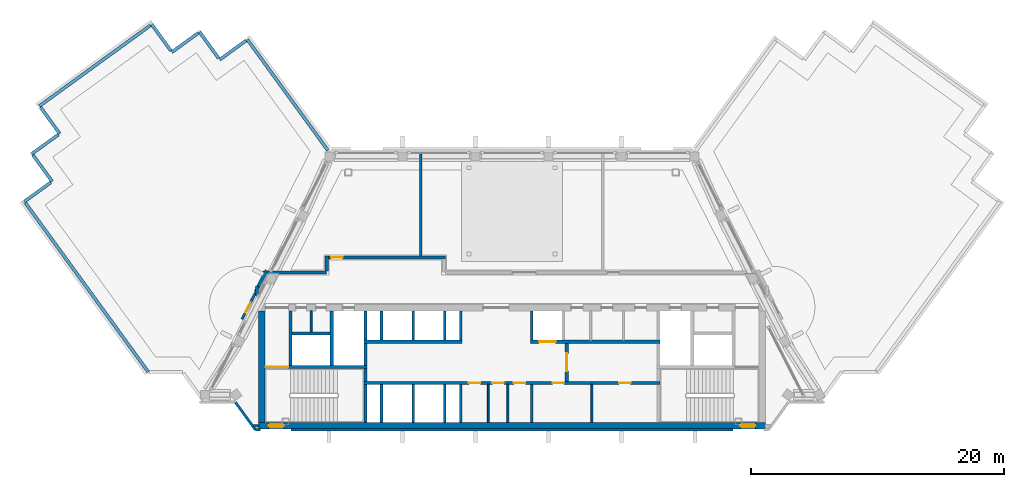
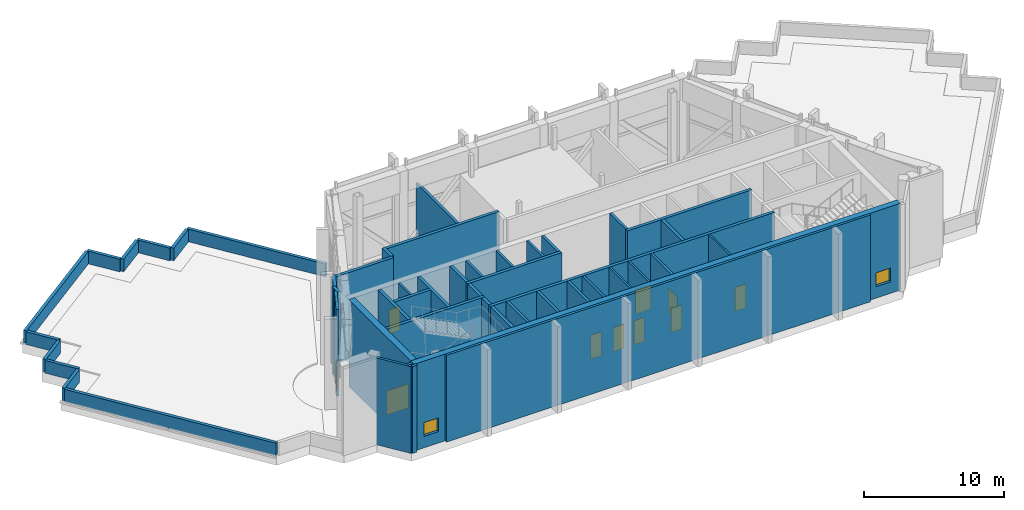
# One storey, part 9 of 14: 50 walls, 10 doors, 2 windows, 12 openings.
"""IFC4 building model written with IfcOpenShell, lengths in metres."""

from ifc_helpers import new_model, si_unit, direction, frame, frame_2d, origin, place, context, subcontext, project, spatial, rectangle, extrude, material, layer, layer_set, type_object, element, fill, save


model = new_model("IFC4")

# Units and contexts
model_context = context("Model", 3, precision=1e-05, world=origin(), true_north=direction((0.0, 1.0)))
body_context = subcontext(model_context, "Body", "Model", "MODEL_VIEW")
ifc_project = project(units=[si_unit("LENGTHUNIT", "METRE"), si_unit("AREAUNIT", "SQUARE_METRE"), si_unit("VOLUMEUNIT", "CUBIC_METRE"), si_unit("PLANEANGLEUNIT", "RADIAN"), si_unit("MASSUNIT", "GRAM", prefix="KILO")], contexts=[model_context])

# Site, building, storey
site_placement = place(None, origin())
site = spatial("IfcSite", under=ifc_project, at=site_placement, CompositionType="ELEMENT")
building_placement = place(site_placement, origin())
building = spatial("IfcBuilding", under=site, at=building_placement, Name="Quipu Civic Tower", CompositionType="ELEMENT")
storey_placement = place(building_placement, frame((0.0, 0.0, 355.0)))
storey = spatial("IfcBuildingStorey", under=building, at=storey_placement, Name="L83", CompositionType="ELEMENT", Elevation=355.0)

# Walls
ifc_material_1 = material(Name="Fired clay blockwork", Category="masonry")
ifc_layer_1 = layer(ifc_material_1, 0.199951171875)
ifc_layer_set_1 = layer_set([ifc_layer_1], Name="Fired clay blockwork")
wall_type_1 = type_object("IfcWallType", Name="Blockwork wall 200", PredefinedType="SOLIDWALL", material=ifc_layer_set_1)
wall_1_placement = place(storey_placement, frame((-7.218017578125, 2.64990234375, 0.0), z_axis=(0.0, 0.0, 1.0), x_axis=(0.0, 1.0, 0.0)))
element("IfcWall", 1, at=wall_1_placement, inside=storey, type_object=wall_type_1, Name="Partition P01", PredefinedType="SOLIDWALL", context=body_context, shape_type="SweptSolid", body=[
    extrude(rectangle(XDim=8.02587890625, YDim=0.199951171875, at=frame_2d((4.012939453125, 0.0))), origin(), (0.0, 0.0, 1.0), 5.75),
])
ifc_material_2 = material(Name="Precast concrete C40/50", Category="concrete")
wall_type_2 = type_object("IfcWallType", Name="Concrete parapet", PredefinedType="PARAPET", material=ifc_material_2)
wall_2_placement = place(storey_placement, frame((-28.715087890625, -6.50634765625, 0.0), z_axis=(0.0, 0.0, 1.0), x_axis=(-0.587781671691, 0.809019595822, 0.0)))
element("IfcWall", 2, at=wall_2_placement, inside=storey, type_object=wall_type_2, Name="Parapet L83.16", PredefinedType="PARAPET", context=body_context, shape_type="SweptSolid", body=[
    extrude(rectangle(XDim=16.490966796875, YDim=0.25, at=frame_2d((8.24560546875, 0.0))), origin(), (0.0, 0.0, 1.0), 1.10009765625),
])
for number, where, z_axis, x_axis, name in (
    (3, (-38.481689453125, 6.936279296875, 0.0), (0.0, 0.0, 1.0), (0.808965629884, 0.587855942954, 0.0), "Parapet L83.17"),
    (4, (-36.297607421875, 8.5234375, 0.0), (0.0, 0.0, 1.0), (-0.587748800394, 0.809043476975, 0.0), "Parapet L83.18"),
    (5, (-37.884521484375, 10.707763671875, 0.0), (0.0, 0.0, 1.0), (0.809043476975, 0.587748800394, 0.0), "Parapet L83.19"),
):
    element("IfcWall", number, at=place(storey_placement, frame(where, z_axis=z_axis, x_axis=x_axis)), inside=storey, type_object=wall_type_2, Name=name, PredefinedType="PARAPET", context=body_context, shape_type="SweptSolid", body=[
        extrude(rectangle(XDim=2.574951171875, YDim=0.25, at=frame_2d((1.28759765625, 0.0))), origin(), (0.0, 0.0, 1.0), 1.10009765625),
    ])
wall_3_placement = place(storey_placement, frame((-35.7001953125, 12.294921875, 0.0), z_axis=(0.0, 0.0, 1.0), x_axis=(-0.587793888112, 0.809010720015, 0.0)))
element("IfcWall", 6, at=wall_3_placement, inside=storey, type_object=wall_type_2, Name="Parapet L83.20", PredefinedType="PARAPET", context=body_context, shape_type="SweptSolid", body=[
    extrude(rectangle(XDim=2.57470703125, YDim=0.25, at=frame_2d((1.287353515625, 0.0))), origin(), (0.0, 0.0, 1.0), 1.10009765625),
])
wall_4_placement = place(storey_placement, frame((-37.287109375, 14.47900390625, 0.0), z_axis=(0.0, 0.0, 1.0), x_axis=(0.809014924719, 0.587788100918, 0.0)))
element("IfcWall", 7, at=wall_4_placement, inside=storey, type_object=wall_type_2, Name="Parapet L83.21", PredefinedType="PARAPET", context=body_context, shape_type="SweptSolid", body=[
    extrude(rectangle(XDim=10.824951171875, YDim=0.25, at=frame_2d((5.41259765625, 0.0))), origin(), (0.0, 0.0, 1.0), 1.10009765625),
])
for number, where, z_axis, x_axis, name in (
    (8, (-28.428466796875, 20.915283203125, 0.0), (0.0, 0.0, 1.0), (0.587855942954, -0.808965629884, 0.0), "Parapet L83.22"),
    (9, (-26.84130859375, 18.73095703125, 0.0), (0.0, 0.0, 1.0), (0.808965629884, 0.587855942954, 0.0), "Parapet L83.23"),
    (10, (-24.656982421875, 20.318115234375, 0.0), (0.0, 0.0, 1.0), (0.587748800394, -0.809043476975, 0.0), "Parapet L83.24"),
    (11, (-23.070068359375, 18.1337890625, 0.0), (0.0, 0.0, 1.0), (0.809043476975, 0.587748800394, 0.0), "Parapet L83.25"),
):
    element("IfcWall", number, at=place(storey_placement, frame(where, z_axis=z_axis, x_axis=x_axis)), inside=storey, type_object=wall_type_2, Name=name, PredefinedType="PARAPET", context=body_context, shape_type="SweptSolid", body=[
        extrude(rectangle(XDim=2.574951171875, YDim=0.25, at=frame_2d((1.28759765625, 0.0))), origin(), (0.0, 0.0, 1.0), 1.10009765625),
    ])
wall_5_placement = place(storey_placement, frame((-20.8857421875, 19.720703125, 0.0), z_axis=(0.0, 0.0, 1.0), x_axis=(0.58778081331, -0.809020219466, 0.0)))
element("IfcWall", 12, at=wall_5_placement, inside=storey, type_object=wall_type_2, Name="Parapet L83.26", PredefinedType="PARAPET", context=body_context, shape_type="SweptSolid", body=[
    extrude(rectangle(XDim=10.808837890625, YDim=0.25, at=frame_2d((5.404296875, 0.0))), origin(), (0.0, 0.0, 1.0), 1.10009765625),
])
ifc_material_3 = material(Name="Concrete C70/85", Category="concrete")
ifc_layer_2 = layer(ifc_material_3, 0.25)
ifc_layer_set_2 = layer_set([ifc_layer_2], Name="Concrete C70/85")
wall_type_3 = type_object("IfcWallType", Name="Core wall 250", PredefinedType="SHEAR", material=ifc_layer_set_2)
wall_6_placement = place(storey_placement, frame((-11.574951171875, -10.5, 0.0), z_axis=(0.0, 0.0, 1.0), x_axis=(0.0, 1.0, 0.0)))
element("IfcWall", 13, at=wall_6_placement, inside=storey, type_object=wall_type_3, Name="Core wall", PredefinedType="SHEAR", context=body_context, shape_type="SweptSolid", body=[
    extrude(rectangle(XDim=3.0, YDim=0.25, at=frame_2d((1.5, 0.0))), origin(), (0.0, 0.0, 1.0), 7.550048828125),
])

# Wall, openings, doors
wall_7_placement = place(storey_placement, frame((11.699951171875, -7.375, 0.0), z_axis=(0.0, 0.0, 1.0), x_axis=(-1.0, 0.0, 0.0)))
wall_7 = element("IfcWall", 14, at=wall_7_placement, inside=storey, type_object=wall_type_3, Name="Core wall", PredefinedType="SHEAR", context=body_context, shape_type="SweptSolid", body=[
    extrude(rectangle(XDim=23.39990234375, YDim=0.25, at=frame_2d((11.699951171875, 0.0))), origin(), (0.0, 0.0, 1.0), 7.550048828125),
])
opening_1_placement = place(wall_7_placement, frame((14.199951171875, 0.0, 0.0)))
opening_1 = element("IfcOpeningElement", 15, at=opening_1_placement, cuts=wall_7, Name="Opening CD-01", PredefinedType="OPENING", context=body_context, shape_type="SweptSolid", body=[
    extrude(rectangle(XDim=0.89990234375, YDim=2.10009765625, at=frame_2d((0.449951171875, 1.050048828125))), frame((0.0, 0.135009765625, 0.0), z_axis=(0.0, -1.0, 0.0), x_axis=(1.0, 0.0, 0.0)), (0.0, 0.0, 1.0), 0.27001953125),
])
opening_2_placement = place(wall_7_placement, frame((12.35009765625, 0.0, 0.0)))
opening_2 = element("IfcOpeningElement", 16, at=opening_2_placement, cuts=wall_7, Name="Opening CD-02", PredefinedType="OPENING", context=body_context, shape_type="SweptSolid", body=[
    extrude(rectangle(XDim=0.89990234375, YDim=2.10009765625, at=frame_2d((0.449951171875, 1.050048828125))), frame((0.0, 0.135009765625, 0.0), z_axis=(0.0, -1.0, 0.0), x_axis=(1.0, 0.0, 0.0)), (0.0, 0.0, 1.0), 0.27001953125),
])
opening_3_placement = place(wall_7_placement, frame((10.64990234375, 0.0, 0.0)))
opening_3 = element("IfcOpeningElement", 17, at=opening_3_placement, cuts=wall_7, Name="Opening CD-03", PredefinedType="OPENING", context=body_context, shape_type="SweptSolid", body=[
    extrude(rectangle(XDim=0.89990234375, YDim=2.10009765625, at=frame_2d((0.449951171875, 1.050048828125))), frame((0.0, 0.135009765625, 0.0), z_axis=(0.0, -1.0, 0.0), x_axis=(1.0, 0.0, 0.0)), (0.0, 0.0, 1.0), 0.27001953125),
])
opening_4_placement = place(wall_7_placement, frame((7.60009765625, 0.0, 0.0)))
opening_4 = element("IfcOpeningElement", 18, at=opening_4_placement, cuts=wall_7, Name="Opening CD-04", PredefinedType="OPENING", context=body_context, shape_type="SweptSolid", body=[
    extrude(rectangle(XDim=0.89990234375, YDim=2.10009765625, at=frame_2d((0.449951171875, 1.050048828125))), frame((0.0, 0.135009765625, 0.0), z_axis=(0.0, -1.0, 0.0), x_axis=(1.0, 0.0, 0.0)), (0.0, 0.0, 1.0), 0.27001953125),
])
opening_5_placement = place(wall_7_placement, frame((2.337890625, 0.0, 0.0)))
opening_5 = element("IfcOpeningElement", 19, at=opening_5_placement, cuts=wall_7, Name="Opening CD-05", PredefinedType="OPENING", context=body_context, shape_type="SweptSolid", body=[
    extrude(rectangle(XDim=0.89990234375, YDim=2.10009765625, at=frame_2d((0.449951171875, 1.050048828125))), frame((0.0, 0.135009765625, 0.0), z_axis=(0.0, -1.0, 0.0), x_axis=(1.0, 0.0, 0.0)), (0.0, 0.0, 1.0), 0.27001953125),
])
ifc_material_4 = material(Name="Fire rated steel door", Category="steel")
door_type_1 = type_object("IfcDoorType", Name="Fire door FD60 900 x 2100", OperationType="NOTDEFINED", PredefinedType="DOOR", material=ifc_material_4)
door_1_placement = place(opening_1_placement, origin())
door_1 = element("IfcDoor", 20, at=door_1_placement, inside=storey, type_object=door_type_1, Name="Plant door", OperationType="SINGLE_SWING_RIGHT", OverallHeight=2.10009765625, OverallWidth=0.89990234375, PredefinedType="DOOR", context=body_context, shape_type="SweptSolid", body=[
    extrude(rectangle(XDim=0.89990234375, YDim=2.10009765625, at=frame_2d((0.449951171875, 1.050048828125))), frame((0.0, 0.02490234375, 0.0), z_axis=(0.0, -1.0, 0.0), x_axis=(1.0, 0.0, 0.0)), (0.0, 0.0, 1.0), 0.050048828125),
])
fill(opening_1, door_1)
door_2_placement = place(opening_2_placement, origin())
door_2 = element("IfcDoor", 21, at=door_2_placement, inside=storey, type_object=door_type_1, Name="Plant door", OperationType="SINGLE_SWING_RIGHT", OverallHeight=2.10009765625, OverallWidth=0.89990234375, PredefinedType="DOOR", context=body_context, shape_type="SweptSolid", body=[
    extrude(rectangle(XDim=0.89990234375, YDim=2.10009765625, at=frame_2d((0.449951171875, 1.050048828125))), frame((0.0, 0.02490234375, 0.0), z_axis=(0.0, -1.0, 0.0), x_axis=(1.0, 0.0, 0.0)), (0.0, 0.0, 1.0), 0.050048828125),
])
fill(opening_2, door_2)
door_3_placement = place(opening_3_placement, origin())
door_3 = element("IfcDoor", 22, at=door_3_placement, inside=storey, type_object=door_type_1, Name="Plant door", OperationType="SINGLE_SWING_LEFT", OverallHeight=2.10009765625, OverallWidth=0.89990234375, PredefinedType="DOOR", context=body_context, shape_type="SweptSolid", body=[
    extrude(rectangle(XDim=0.89990234375, YDim=2.10009765625, at=frame_2d((0.449951171875, 1.050048828125))), frame((0.0, 0.02490234375, 0.0), z_axis=(0.0, -1.0, 0.0), x_axis=(1.0, 0.0, 0.0)), (0.0, 0.0, 1.0), 0.050048828125),
])
fill(opening_3, door_3)
door_4_placement = place(opening_4_placement, origin())
door_4 = element("IfcDoor", 23, at=door_4_placement, inside=storey, type_object=door_type_1, Name="Door", OperationType="SINGLE_SWING_LEFT", OverallHeight=2.10009765625, OverallWidth=0.89990234375, PredefinedType="DOOR", context=body_context, shape_type="SweptSolid", body=[
    extrude(rectangle(XDim=0.89990234375, YDim=2.10009765625, at=frame_2d((0.449951171875, 1.050048828125))), frame((0.0, 0.02490234375, 0.0), z_axis=(0.0, -1.0, 0.0), x_axis=(1.0, 0.0, 0.0)), (0.0, 0.0, 1.0), 0.050048828125),
])
fill(opening_4, door_4)
door_5_placement = place(opening_5_placement, origin())
door_5 = element("IfcDoor", 24, at=door_5_placement, inside=storey, type_object=door_type_1, Name="Door", OperationType="SINGLE_SWING_LEFT", OverallHeight=2.10009765625, OverallWidth=0.89990234375, PredefinedType="DOOR", context=body_context, shape_type="SweptSolid", body=[
    extrude(rectangle(XDim=0.89990234375, YDim=2.10009765625, at=frame_2d((0.449951171875, 1.050048828125))), frame((0.0, 0.02490234375, 0.0), z_axis=(0.0, -1.0, 0.0), x_axis=(1.0, 0.0, 0.0)), (0.0, 0.0, 1.0), 0.050048828125),
])
fill(opening_5, door_5)

# Wall
wall_8_placement = place(storey_placement, frame((-11.574951171875, -7.25, 0.0), z_axis=(0.0, 0.0, 1.0), x_axis=(0.0, 1.0, 0.0)))
element("IfcWall", 25, at=wall_8_placement, inside=storey, type_object=wall_type_3, Name="Core wall", PredefinedType="SHEAR", context=body_context, shape_type="SweptSolid", body=[
    extrude(rectangle(XDim=1.0, YDim=0.25, at=frame_2d((0.5, 0.0))), origin(), (0.0, 0.0, 1.0), 7.550048828125),
])

# Wall, opening, door
wall_9_placement = place(storey_placement, frame((4.324951171875, -7.25, 0.0), z_axis=(0.0, 0.0, 1.0), x_axis=(0.0, 1.0, 0.0)))
wall_9 = element("IfcWall", 26, at=wall_9_placement, inside=storey, type_object=wall_type_3, Name="Core wall", PredefinedType="SHEAR", context=body_context, shape_type="SweptSolid", body=[
    extrude(rectangle(XDim=3.0, YDim=0.25, at=frame_2d((1.5, 0.0))), origin(), (0.0, 0.0, 1.0), 7.550048828125),
])
opening_6_placement = place(wall_9_placement, frame((0.800048828125, 0.0, 0.0)))
opening_6 = element("IfcOpeningElement", 27, at=opening_6_placement, cuts=wall_9, Name="Opening CD-08", PredefinedType="OPENING", context=body_context, shape_type="SweptSolid", body=[
    extrude(rectangle(XDim=1.39990234375, YDim=2.10009765625, at=frame_2d((0.699951171875, 1.050048828125))), frame((0.0, 0.135009765625, 0.0), z_axis=(0.0, -1.0, 0.0), x_axis=(1.0, 0.0, 0.0)), (0.0, 0.0, 1.0), 0.27001953125),
])
ifc_material_5 = material(Name="Fire rated steel door", Category="steel")
door_type_2 = type_object("IfcDoorType", Name="Fire door FD60 double 1400 x 2100", OperationType="NOTDEFINED", PredefinedType="DOOR", material=ifc_material_5)
door_6_placement = place(opening_6_placement, origin())
door_6 = element("IfcDoor", 28, at=door_6_placement, inside=storey, type_object=door_type_2, Name="Hall door", OperationType="DOUBLE_DOOR_SINGLE_SWING", OverallHeight=2.10009765625, OverallWidth=1.39990234375, PredefinedType="DOOR", context=body_context, shape_type="SweptSolid", body=[
    extrude(rectangle(XDim=1.39990234375, YDim=2.10009765625, at=frame_2d((0.699951171875, 1.050048828125))), frame((0.0, 0.02490234375, 0.0), z_axis=(0.0, -1.0, 0.0), x_axis=(1.0, 0.0, 0.0)), (0.0, 0.0, 1.0), 0.050048828125),
])
fill(opening_6, door_6)

wall_10_placement = place(storey_placement, frame((-11.449951171875, -6.125, 0.0), z_axis=(0.0, 0.0, 1.0), x_axis=(-1.0, 0.0, 0.0)))
wall_10 = element("IfcWall", 29, at=wall_10_placement, inside=storey, type_object=wall_type_3, Name="Core wall", PredefinedType="SHEAR", context=body_context, shape_type="SweptSolid", body=[
    extrude(rectangle(XDim=8.050048828125, YDim=0.25, at=frame_2d((4.02490234375, 0.0))), origin(), (0.0, 0.0, 1.0), 7.550048828125),
])
opening_7_placement = place(wall_10_placement, frame((6.199951171875, 0.0, 0.0)))
opening_7 = element("IfcOpeningElement", 30, at=opening_7_placement, cuts=wall_10, Name="Opening CD-06", PredefinedType="OPENING", context=body_context, shape_type="SweptSolid", body=[
    extrude(rectangle(XDim=1.800048828125, YDim=2.10009765625, at=frame_2d((0.89990234375, 1.050048828125))), frame((0.0, 0.135009765625, 0.0), z_axis=(0.0, -1.0, 0.0), x_axis=(1.0, 0.0, 0.0)), (0.0, 0.0, 1.0), 0.27001953125),
])
ifc_material_6 = material(Name="Fire rated steel door", Category="steel")
door_type_3 = type_object("IfcDoorType", Name="Fire door FD90 double 1800 x 2100", OperationType="NOTDEFINED", PredefinedType="DOOR", material=ifc_material_6)
door_7_placement = place(opening_7_placement, origin())
door_7 = element("IfcDoor", 31, at=door_7_placement, inside=storey, type_object=door_type_3, Name="Door", OperationType="DOUBLE_DOOR_SINGLE_SWING", OverallHeight=2.10009765625, OverallWidth=1.800048828125, PredefinedType="DOOR", context=body_context, shape_type="SweptSolid", body=[
    extrude(rectangle(XDim=1.800048828125, YDim=2.10009765625, at=frame_2d((0.89990234375, 1.050048828125))), frame((0.0, 0.02490234375, 0.0), z_axis=(0.0, -1.0, 0.0), x_axis=(1.0, 0.0, 0.0)), (0.0, 0.0, 1.0), 0.050048828125),
])
fill(opening_7, door_7)

# Walls
for number, where, z_axis, x_axis, name in (
    (32, (-17.47509765625, -6.0, 0.0), (0.0, 0.0, 1.0), (0.0, 1.0, 0.0), "Core wall"),
    (33, (-14.22509765625, -6.0, 0.0), (0.0, 0.0, 1.0), (0.0, 1.0, 0.0), "Core wall"),
):
    element("IfcWall", number, at=place(storey_placement, frame(where, z_axis=z_axis, x_axis=x_axis)), inside=storey, type_object=wall_type_3, Name=name, PredefinedType="SHEAR", context=body_context, shape_type="SweptSolid", body=[
        extrude(rectangle(XDim=4.300048828125, YDim=0.25, at=frame_2d((2.14990234375, 0.0))), origin(), (0.0, 0.0, 1.0), 7.550048828125),
    ])
wall_11_placement = place(storey_placement, frame((-11.574951171875, -6.0, 0.0), z_axis=(0.0, 0.0, 1.0), x_axis=(0.0, 1.0, 0.0)))
element("IfcWall", 34, at=wall_11_placement, inside=storey, type_object=wall_type_3, Name="Core wall", PredefinedType="SHEAR", context=body_context, shape_type="SweptSolid", body=[
    extrude(rectangle(XDim=1.75, YDim=0.25, at=frame_2d((0.875, 0.0))), origin(), (0.0, 0.0, 1.0), 7.550048828125),
])
wall_12_placement = place(storey_placement, frame((-11.699951171875, -4.125, 0.0), z_axis=(0.0, 0.0, 1.0), x_axis=(1.0, 0.0, 0.0)))
element("IfcWall", 35, at=wall_12_placement, inside=storey, type_object=wall_type_3, Name="Core wall", PredefinedType="SHEAR", context=body_context, shape_type="SweptSolid", body=[
    extrude(rectangle(XDim=7.75, YDim=0.25, at=frame_2d((3.875, 0.0))), origin(), (0.0, 0.0, 1.0), 7.550048828125),
])

# Wall, opening, door
wall_13_placement = place(storey_placement, frame((1.449951171875, -4.125, 0.0), z_axis=(0.0, 0.0, 1.0), x_axis=(1.0, 0.0, 0.0)))
wall_13 = element("IfcWall", 36, at=wall_13_placement, inside=storey, type_object=wall_type_3, Name="Core wall", PredefinedType="SHEAR", context=body_context, shape_type="SweptSolid", body=[
    extrude(rectangle(XDim=10.25, YDim=0.25, at=frame_2d((5.125, 0.0))), origin(), (0.0, 0.0, 1.0), 7.550048828125),
])
opening_8_placement = place(wall_13_placement, frame((0.699951171875, 0.0, 0.0)))
opening_8 = element("IfcOpeningElement", 37, at=opening_8_placement, cuts=wall_13, Name="Opening LD-FF3", PredefinedType="OPENING", context=body_context, shape_type="SweptSolid", body=[
    extrude(rectangle(XDim=1.300048828125, YDim=2.10009765625, at=frame_2d((0.64990234375, 1.050048828125))), frame((0.0, 0.135009765625, 0.0), z_axis=(0.0, -1.0, 0.0), x_axis=(1.0, 0.0, 0.0)), (0.0, 0.0, 1.0), 0.27001953125),
])
ifc_material_7 = material(Name="Stainless steel", Category="steel")
door_type_4 = type_object("IfcDoorType", Name="Lift landing door 1300 x 2100", OperationType="DOUBLE_DOOR_SLIDING", PredefinedType="DOOR", material=ifc_material_7)
door_8_placement = place(opening_8_placement, origin())
door_8 = element("IfcDoor", 38, at=door_8_placement, inside=storey, type_object=door_type_4, Name="Landing door FF3", OperationType="DOUBLE_DOOR_SLIDING", OverallHeight=2.10009765625, OverallWidth=1.300048828125, PredefinedType="DOOR", context=body_context, shape_type="SweptSolid", body=[
    extrude(rectangle(XDim=1.300048828125, YDim=2.10009765625, at=frame_2d((0.64990234375, 1.050048828125))), frame((0.0, 0.02490234375, 0.0), z_axis=(0.0, -1.0, 0.0), x_axis=(1.0, 0.0, 0.0)), (0.0, 0.0, 1.0), 0.050048828125),
])
fill(opening_8, door_8)

# Walls
wall_14_placement = place(storey_placement, frame((-11.574951171875, -4.0, 0.0), z_axis=(0.0, 0.0, 1.0), x_axis=(0.0, 1.0, 0.0)))
element("IfcWall", 39, at=wall_14_placement, inside=storey, type_object=wall_type_3, Name="Core wall", PredefinedType="SHEAR", context=body_context, shape_type="SweptSolid", body=[
    extrude(rectangle(XDim=2.300048828125, YDim=0.25, at=frame_2d((1.14990234375, 0.0))), origin(), (0.0, 0.0, 1.0), 7.550048828125),
])
wall_15_placement = place(storey_placement, frame((-17.35009765625, -3.47509765625, 0.0), z_axis=(0.0, 0.0, 1.0), x_axis=(1.0, 0.0, 0.0)))
element("IfcWall", 40, at=wall_15_placement, inside=storey, type_object=wall_type_3, Name="Core wall", PredefinedType="SHEAR", context=body_context, shape_type="SweptSolid", body=[
    extrude(rectangle(XDim=3.0, YDim=0.25, at=frame_2d((1.5, 0.0))), origin(), (0.0, 0.0, 1.0), 7.550048828125),
])

# Wall, openings, windows
ifc_material_8 = material(Name="Concrete C70/85", Category="concrete")
ifc_layer_3 = layer(ifc_material_8, 0.5)
ifc_layer_set_3 = layer_set([ifc_layer_3], Name="Concrete C70/85")
wall_type_4 = type_object("IfcWallType", Name="Core wall 500", PredefinedType="SHEAR", material=ifc_layer_set_3)
wall_16_placement = place(storey_placement, frame((-20.0, -10.75, 0.0), z_axis=(0.0, 0.0, 1.0), x_axis=(1.0, 0.0, 0.0)))
wall_16 = element("IfcWall", 41, at=wall_16_placement, inside=storey, type_object=wall_type_4, Name="Core wall", PredefinedType="SHEAR", context=body_context, shape_type="SweptSolid", body=[
    extrude(rectangle(XDim=40.0, YDim=0.5, at=frame_2d((20.0, 0.0))), origin(), (0.0, 0.0, 1.0), 7.550048828125),
])
opening_9_placement = place(wall_16_placement, frame((0.800048828125, 0.0, 1.0)))
opening_9 = element("IfcOpeningElement", 42, at=opening_9_placement, cuts=wall_16, Name="Opening SV-1", PredefinedType="OPENING", context=body_context, shape_type="SweptSolid", body=[
    extrude(rectangle(XDim=1.199951171875, YDim=1.199951171875, at=frame_2d((0.60009765625, 0.60009765625))), frame((0.0, 0.260009765625, 0.0), z_axis=(0.0, -1.0, 0.0), x_axis=(1.0, 0.0, 0.0)), (0.0, 0.0, 1.0), 0.52001953125),
])
opening_10_placement = place(wall_16_placement, frame((38.0, 0.0, 1.0)))
opening_10 = element("IfcOpeningElement", 43, at=opening_10_placement, cuts=wall_16, Name="Opening SV-2", PredefinedType="OPENING", context=body_context, shape_type="SweptSolid", body=[
    extrude(rectangle(XDim=1.199951171875, YDim=1.199951171875, at=frame_2d((0.60009765625, 0.60009765625))), frame((0.0, 0.260009765625, 0.0), z_axis=(0.0, -1.0, 0.0), x_axis=(1.0, 0.0, 0.0)), (0.0, 0.0, 1.0), 0.52001953125),
])
ifc_material_9 = material(Name="Aluminium louvre", Category="aluminium")
window_type = type_object("IfcWindowType", Name="Stair ventilation louvre 1200 x 1200", PartitioningType="SINGLE_PANEL", PredefinedType="WINDOW", material=ifc_material_9)
window_1_placement = place(opening_9_placement, origin())
window_1 = element("IfcWindow", 44, at=window_1_placement, inside=storey, type_object=window_type, Name="Stair ventilation opening", OverallHeight=1.199951171875, OverallWidth=1.199951171875, PartitioningType="SINGLE_PANEL", PredefinedType="WINDOW", context=body_context, shape_type="SweptSolid", body=[
    extrude(rectangle(XDim=1.199951171875, YDim=1.199951171875, at=frame_2d((0.60009765625, 0.60009765625))), frame((0.0, 0.030029296875, 0.0), z_axis=(0.0, -1.0, 0.0), x_axis=(1.0, 0.0, 0.0)), (0.0, 0.0, 1.0), 0.06005859375),
])
fill(opening_9, window_1)
window_2_placement = place(opening_10_placement, origin())
window_2 = element("IfcWindow", 45, at=window_2_placement, inside=storey, type_object=window_type, Name="Stair ventilation opening", OverallHeight=1.199951171875, OverallWidth=1.199951171875, PartitioningType="SINGLE_PANEL", PredefinedType="WINDOW", context=body_context, shape_type="SweptSolid", body=[
    extrude(rectangle(XDim=1.199951171875, YDim=1.199951171875, at=frame_2d((0.60009765625, 0.60009765625))), frame((0.0, 0.030029296875, 0.0), z_axis=(0.0, -1.0, 0.0), x_axis=(1.0, 0.0, 0.0)), (0.0, 0.0, 1.0), 0.06005859375),
])
fill(opening_10, window_2)

# Walls
wall_17_placement = place(storey_placement, frame((-19.75, -10.5, 0.0), z_axis=(0.0, 0.0, 1.0), x_axis=(0.0, 1.0, 0.0)))
element("IfcWall", 46, at=wall_17_placement, inside=storey, type_object=wall_type_4, Name="Core wall", PredefinedType="SHEAR", context=body_context, shape_type="SweptSolid", body=[
    extrude(rectangle(XDim=8.800048828125, YDim=0.5, at=frame_2d((4.39990234375, 0.0))), origin(), (0.0, 0.0, 1.0), 7.550048828125),
])
ifc_material_10 = material(Name="Concrete C50/60", Category="concrete")
ifc_layer_4 = layer(ifc_material_10, 0.25)
ifc_layer_set_4 = layer_set([ifc_layer_4], Name="Concrete C50/60")
wall_type_5 = type_object("IfcWallType", Name="Corridor wall 250 concrete", PredefinedType="SOLIDWALL", material=ifc_layer_set_4)
wall_18_placement = place(storey_placement, frame((-20.238525390625, -0.192626953125, 0.0), z_axis=(0.0, 0.0, 1.0), x_axis=(0.454061930084, 0.890970125003, 0.0)))
element("IfcWall", 47, at=wall_18_placement, inside=storey, type_object=wall_type_5, Name="Corridor wall C01", PredefinedType="SOLIDWALL", context=body_context, shape_type="SweptSolid", body=[
    extrude(rectangle(XDim=1.9072265625, YDim=0.25, at=frame_2d((0.95361328125, 0.0))), origin(), (0.0, 0.0, 1.0), 7.550048828125),
])
wall_19_placement = place(storey_placement, frame((-19.669189453125, 1.324951171875, 0.0), z_axis=(0.0, 0.0, 1.0), x_axis=(1.0, 0.0, 0.0)))
element("IfcWall", 48, at=wall_19_placement, inside=storey, type_object=wall_type_5, Name="Corridor wall C02", PredefinedType="SOLIDWALL", context=body_context, shape_type="SweptSolid", body=[
    extrude(rectangle(XDim=5.010498046875, YDim=0.25, at=frame_2d((2.50537109375, 0.0))), origin(), (0.0, 0.0, 1.0), 7.550048828125),
])
wall_20_placement = place(storey_placement, frame((-14.625, 1.45361328125, 0.0), z_axis=(0.0, 0.0, 1.0), x_axis=(0.0, 1.0, 0.0)))
element("IfcWall", 49, at=wall_20_placement, inside=storey, type_object=wall_type_5, Name="Corridor wall C03", PredefinedType="SOLIDWALL", context=body_context, shape_type="SweptSolid", body=[
    extrude(rectangle(XDim=1.1962890625, YDim=0.25, at=frame_2d((0.59814453125, 0.0))), origin(), (0.0, 0.0, 1.0), 7.550048828125),
])

# Wall, opening, door
wall_21_placement = place(storey_placement, frame((-14.5, 2.52490234375, 0.0), z_axis=(0.0, 0.0, 1.0), x_axis=(1.0, 0.0, 0.0)))
wall_21 = element("IfcWall", 50, at=wall_21_placement, inside=storey, type_object=wall_type_5, Name="Corridor wall C04", PredefinedType="SOLIDWALL", context=body_context, shape_type="SweptSolid", body=[
    extrude(rectangle(XDim=9.25, YDim=0.25, at=frame_2d((4.625, 0.0))), origin(), (0.0, 0.0, 1.0), 7.550048828125),
])
opening_11_placement = place(wall_21_placement, frame((0.22412109375, 0.0, 0.0)))
opening_11 = element("IfcOpeningElement", 51, at=opening_11_placement, cuts=wall_21, Name="Opening D001", PredefinedType="OPENING", context=body_context, shape_type="SweptSolid", body=[
    extrude(rectangle(XDim=0.89990234375, YDim=2.10009765625, at=frame_2d((0.449951171875, 1.050048828125))), frame((0.0, 0.135009765625, 0.0), z_axis=(0.0, -1.0, 0.0), x_axis=(1.0, 0.0, 0.0)), (0.0, 0.0, 1.0), 0.27001953125),
])
ifc_material_11 = material(Name="Fire rated timber door set with metal frame", Category="wood")
door_type_5 = type_object("IfcDoorType", Name="Single door 900 x 2100 FD60", OperationType="NOTDEFINED", PredefinedType="DOOR", material=ifc_material_11)
door_9_placement = place(opening_11_placement, origin())
door_9 = element("IfcDoor", 52, at=door_9_placement, inside=storey, type_object=door_type_5, Name="Door D001", OperationType="SINGLE_SWING_LEFT", OverallHeight=2.10009765625, OverallWidth=0.89990234375, PredefinedType="DOOR", context=body_context, shape_type="SweptSolid", body=[
    extrude(rectangle(XDim=0.89990234375, YDim=2.10009765625, at=frame_2d((0.449951171875, 1.050048828125))), frame((0.0, 0.02490234375, 0.0), z_axis=(0.0, -1.0, 0.0), x_axis=(1.0, 0.0, 0.0)), (0.0, 0.0, 1.0), 0.050048828125),
])
fill(opening_11, door_9)

# Walls
wall_22_placement = place(storey_placement, frame((-20.125, -0.4912109375, 0.0), z_axis=(0.0, 0.0, 1.0), x_axis=(0.0, 1.0, 0.0)))
element("IfcWall", 53, at=wall_22_placement, inside=storey, type_object=wall_type_5, Name="Corridor wall C09", PredefinedType="SOLIDWALL", context=body_context, shape_type="SweptSolid", body=[
    extrude(rectangle(XDim=0.771240234375, YDim=0.25, at=frame_2d((0.3857421875, 0.0))), origin(), (0.0, 0.0, 1.0), 7.550048828125),
])
ifc_material_12 = material(Name="Gypsum board partition")
ifc_layer_5 = layer(ifc_material_12, 0.14990234375)
ifc_layer_set_5 = layer_set([ifc_layer_5], Name="Gypsum board partition")
wall_type_6 = type_object("IfcWallType", Name="Partition 150", PredefinedType="PARTITIONING", material=ifc_layer_set_5)
for number, where, z_axis, x_axis, name in (
    (54, (-1.875, -10.5, 0.0), (0.0, 0.0, 1.0), (0.0, 1.0, 0.0), "Partition"),
    (55, (-0.324951171875, -10.5, 0.0), (0.0, 0.0, 1.0), (0.0, 1.0, 0.0), "Partition"),
    (56, (6.300048828125, -10.5, 0.0), (0.0, 0.0, 1.0), (0.0, 1.0, 0.0), "Partition"),
):
    element("IfcWall", number, at=place(storey_placement, frame(where, z_axis=z_axis, x_axis=x_axis)), inside=storey, type_object=wall_type_6, Name=name, PredefinedType="PARTITIONING", context=body_context, shape_type="SweptSolid", body=[
        extrude(rectangle(XDim=3.0, YDim=0.14990234375, at=frame_2d((1.5, 0.0))), origin(), (0.0, 0.0, 1.0), 7.550048828125),
    ])
wall_23_placement = place(storey_placement, frame((-15.85009765625, -3.35009765625, 0.0), z_axis=(0.0, 0.0, 1.0), x_axis=(0.0, 1.0, 0.0)))
element("IfcWall", 57, at=wall_23_placement, inside=storey, type_object=wall_type_6, Name="Partition", PredefinedType="PARTITIONING", context=body_context, shape_type="SweptSolid", body=[
    extrude(rectangle(XDim=1.650146484375, YDim=0.14990234375, at=frame_2d((0.8251953125, 0.0))), origin(), (0.0, 0.0, 1.0), 7.550048828125),
])
ifc_material_13 = material(Name="Precast concrete C40/50", Category="concrete")
wall_type_7 = type_object("IfcWallType", Name="Precast cladding wall", PredefinedType="SOLIDWALL", material=ifc_material_13)
wall_24_placement = place(storey_placement, frame((-21.8330078125, -8.90869140625, 0.0), z_axis=(0.0, 0.0, 1.0), x_axis=(0.587766567315, -0.809030569476, 0.0)))
element("IfcWall", 58, at=wall_24_placement, inside=storey, type_object=wall_type_7, Name="Precast cladding wall L83 5", PredefinedType="SOLIDWALL", context=body_context, shape_type="SweptSolid", body=[
    extrude(rectangle(XDim=2.687744140625, YDim=0.199951171875, at=frame_2d((1.34375, 0.0))), origin(), (0.0, 0.0, 1.0), 7.550048828125),
])
wall_25_placement = place(storey_placement, frame((-20.255859375, -11.087890625, 0.0), z_axis=(0.0, 0.0, 1.0), x_axis=(1.0, 0.0, 0.0)))
element("IfcWall", 59, at=wall_25_placement, inside=storey, type_object=wall_type_7, Name="Precast cladding wall L83 6", PredefinedType="SOLIDWALL", context=body_context, shape_type="SweptSolid", body=[
    extrude(rectangle(XDim=0.40576171875, YDim=0.199951171875, at=frame_2d((0.202880859375, 0.0))), origin(), (0.0, 0.0, 1.0), 7.550048828125),
])
wall_26_placement = place(storey_placement, frame((-17.44384765625, -11.087890625, 0.0), z_axis=(0.0, 0.0, 1.0), x_axis=(1.0, 0.0, 0.0)))
element("IfcWall", 60, at=wall_26_placement, inside=storey, type_object=wall_type_7, Name="Precast cladding wall L83 7", PredefinedType="SOLIDWALL", context=body_context, shape_type="SweptSolid", body=[
    extrude(rectangle(XDim=34.8876953125, YDim=0.199951171875, at=frame_2d((17.44384765625, 0.0))), origin(), (0.0, 0.0, 1.0), 7.550048828125),
])
wall_27_placement = place(storey_placement, frame((-19.97998046875, -10.75, 0.0), z_axis=(0.0, 0.0, 1.0), x_axis=(-1.0, 0.0, 0.0)))
element("IfcWall", 61, at=wall_27_placement, inside=storey, type_object=wall_type_7, Name="Precast cladding return L83 W", PredefinedType="SOLIDWALL", context=body_context, shape_type="SweptSolid", body=[
    extrude(rectangle(XDim=0.41650390625, YDim=0.199951171875, at=frame_2d((0.208251953125, 0.0))), origin(), (0.0, 0.0, 1.0), 7.550048828125),
])

# Wall, opening, door
ifc_material_14 = material(Name="Precast concrete C40/50", Category="concrete")
wall_type_8 = type_object("IfcWallType", Name="Precast door surround", PredefinedType="SOLIDWALL", material=ifc_material_14)
wall_28_placement = place(storey_placement, frame((-21.312255859375, -2.355224609375, 0.0), z_axis=(0.0, 0.0, 1.0), x_axis=(0.453964632037, 0.891019703968, 0.0)))
wall_28 = element("IfcWall", 62, at=wall_28_placement, inside=storey, type_object=wall_type_8, Name="Door surround RA-L83-1", PredefinedType="SOLIDWALL", context=body_context, shape_type="SweptSolid", body=[
    extrude(rectangle(XDim=2.353515625, YDim=0.199951171875, at=frame_2d((1.1767578125, 0.0))), origin(), (0.0, 0.0, 1.0), 7.550048828125),
])
opening_12_placement = place(wall_28_placement, frame((0.610595703125, 0.0, 0.0)))
opening_12 = element("IfcOpeningElement", 63, at=opening_12_placement, cuts=wall_28, Name="Opening RA-L83-1", PredefinedType="OPENING", context=body_context, shape_type="SweptSolid", body=[
    extrude(rectangle(XDim=0.89990234375, YDim=2.10009765625, at=frame_2d((0.449951171875, 1.050048828125))), frame((0.0, 0.10986328125, 0.0), z_axis=(0.0, -1.0, 0.0), x_axis=(1.0, 0.0, 0.0)), (0.0, 0.0, 1.0), 0.219970703125),
])
ifc_material_15 = material(Name="Steel framed door", Category="steel")
door_type_6 = type_object("IfcDoorType", Name="Roof access door", OperationType="SINGLE_SWING_RIGHT", PredefinedType="DOOR", material=ifc_material_15)
door_10_placement = place(opening_12_placement, origin())
door_10 = element("IfcDoor", 64, at=door_10_placement, inside=storey, type_object=door_type_6, Name="E5 door RA-L83-1", OperationType="SINGLE_SWING_RIGHT", OverallHeight=2.10009765625, OverallWidth=0.89990234375, PredefinedType="DOOR", context=body_context, shape_type="SweptSolid", body=[
    extrude(rectangle(XDim=0.89990234375, YDim=2.10009765625, at=frame_2d((0.449951171875, 1.050048828125))), frame((0.0, 0.02490234375, 0.0), z_axis=(0.0, -1.0, 0.0), x_axis=(1.0, 0.0, 0.0)), (0.0, 0.0, 1.0), 0.050048828125),
])
fill(opening_12, door_10)

# Walls
ifc_material_16 = material(Name="Concrete C40/50", Category="concrete")
ifc_layer_6 = layer(ifc_material_16, 0.199951171875)
ifc_layer_set_6 = layer_set([ifc_layer_6], Name="Concrete C40/50")
wall_type_9 = type_object("IfcWallType", Name="Shaft wall 200", PredefinedType="SOLIDWALL", material=ifc_layer_set_6)
for number, where, z_axis, x_axis, name in (
    (65, (-10.300048828125, -10.5, 0.0), (0.0, 0.0, 1.0), (0.0, 1.0, 0.0), "Shaft wall"),
    (66, (-7.800048828125, -10.5, 0.0), (0.0, 0.0, 1.0), (0.0, 1.0, 0.0), "Shaft wall"),
    (67, (-5.300048828125, -10.5, 0.0), (0.0, 0.0, 1.0), (0.0, 1.0, 0.0), "Shaft wall"),
    (68, (-4.050048828125, -10.5, 0.0), (0.0, 0.0, 1.0), (0.0, 1.0, 0.0), "Shaft wall"),
    (69, (1.550048828125, -10.5, 0.0), (0.0, 0.0, 1.0), (0.0, 1.0, 0.0), "Shaft wall"),
):
    element("IfcWall", number, at=place(storey_placement, frame(where, z_axis=z_axis, x_axis=x_axis)), inside=storey, type_object=wall_type_9, Name=name, PredefinedType="SOLIDWALL", context=body_context, shape_type="SweptSolid", body=[
        extrude(rectangle(XDim=3.0, YDim=0.199951171875, at=frame_2d((1.5, 0.0))), origin(), (0.0, 0.0, 1.0), 7.550048828125),
    ])
for number, where, z_axis, x_axis, name in (
    (70, (-10.300048828125, -4.0, 0.0), (0.0, 0.0, 1.0), (0.0, 1.0, 0.0), "Shaft wall"),
    (71, (-7.800048828125, -4.0, 0.0), (0.0, 0.0, 1.0), (0.0, 1.0, 0.0), "Shaft wall"),
    (72, (-5.300048828125, -4.0, 0.0), (0.0, 0.0, 1.0), (0.0, 1.0, 0.0), "Shaft wall"),
    (73, (-4.050048828125, -4.0, 0.0), (0.0, 0.0, 1.0), (0.0, 1.0, 0.0), "Shaft wall"),
    (74, (1.550048828125, -4.0, 0.0), (0.0, 0.0, 1.0), (0.0, 1.0, 0.0), "Shaft wall"),
):
    element("IfcWall", number, at=place(storey_placement, frame(where, z_axis=z_axis, x_axis=x_axis)), inside=storey, type_object=wall_type_9, Name=name, PredefinedType="SOLIDWALL", context=body_context, shape_type="SweptSolid", body=[
        extrude(rectangle(XDim=2.300048828125, YDim=0.199951171875, at=frame_2d((1.14990234375, 0.0))), origin(), (0.0, 0.0, 1.0), 7.550048828125),
    ])

save(model, "model.ifc")
